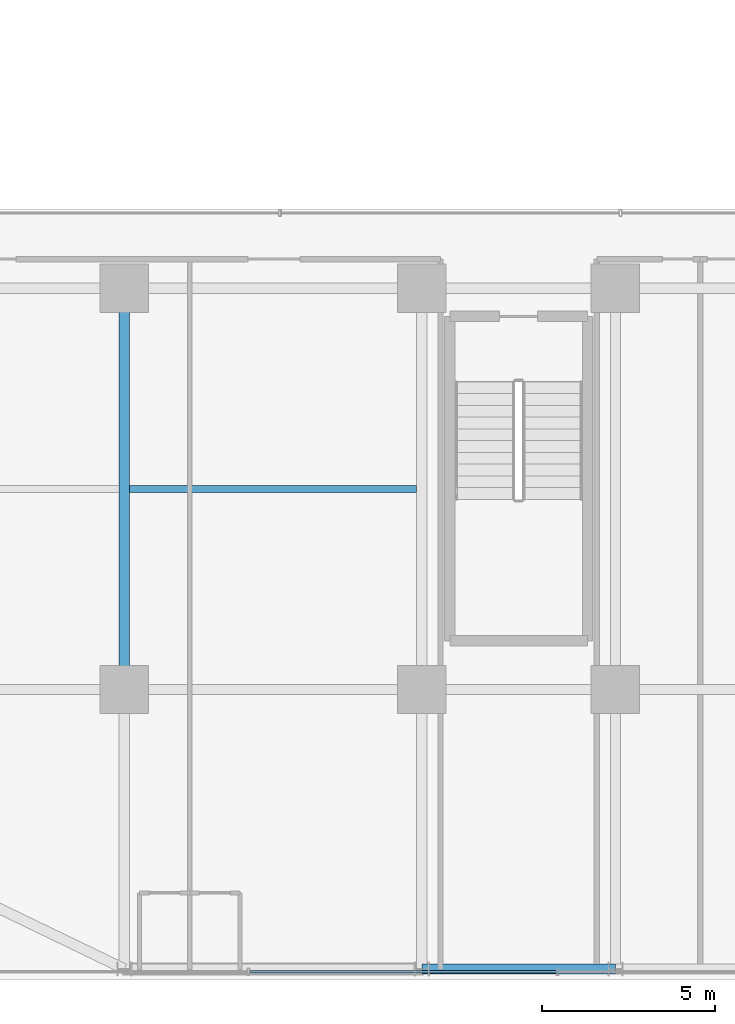
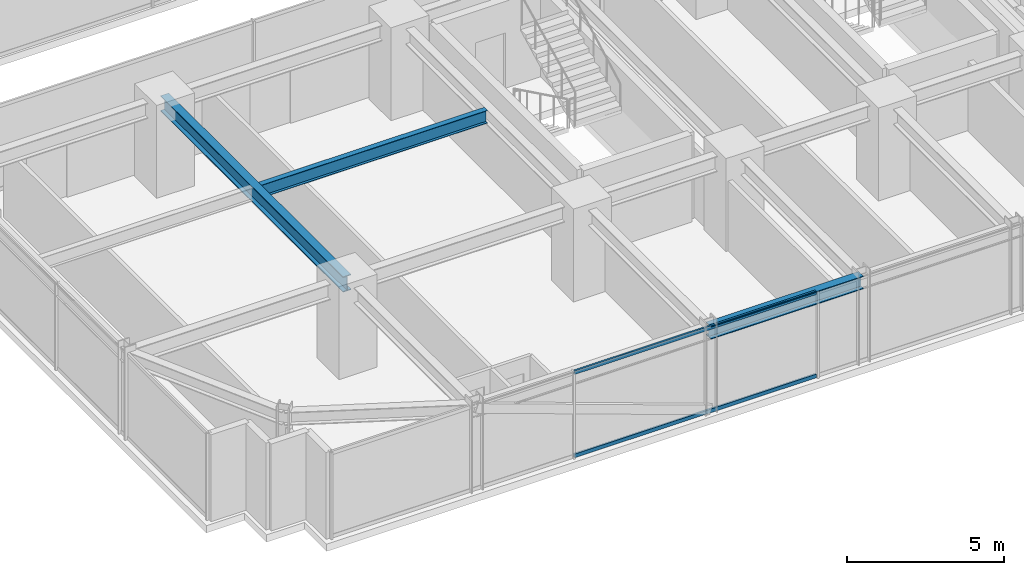
# One storey, part 6 of 41: 3 beams, 2 members, 1 element without a shape of its own.
"""IFC4 building model written with IfcOpenShell, lengths in metres."""

from ifc_helpers import new_model, si_unit, direction, frame, origin, origin_2d, place, context, subcontext, project, spatial, hollow_rectangle, i_section, extrude, source, transform, mapped, material, material_profile, profile_set, type_object, element, aggregate, save


model = new_model("IFC4")

# Units and contexts
model_context = context("Model", 3, precision=1e-05, world=origin(), true_north=direction((0.0, 1.0)))
body_context = subcontext(model_context, "Body", "Model", "MODEL_VIEW")
ifc_project = project(units=[si_unit("LENGTHUNIT", "METRE"), si_unit("AREAUNIT", "SQUARE_METRE"), si_unit("VOLUMEUNIT", "CUBIC_METRE"), si_unit("PLANEANGLEUNIT", "RADIAN"), si_unit("MASSUNIT", "GRAM", prefix="KILO")], contexts=[model_context])

# Site, building, storey
site_placement = place(None, origin())
site = spatial("IfcSite", under=ifc_project, at=site_placement, CompositionType="ELEMENT")
building_placement = place(site_placement, origin())
building = spatial("IfcBuilding", under=site, at=building_placement, Name="Nahalor Promenade Grand Hotel", CompositionType="ELEMENT")
storey_placement = place(building_placement, frame((0.0, 0.0, 54.300048828125)))
storey = spatial("IfcBuildingStorey", under=building, at=storey_placement, Name="L12", CompositionType="ELEMENT", Elevation=54.300048828125)

# Beams
ifc_material_1 = material(Name="Steel S355JR", Category="steel")
ifc_material_profile_1 = material_profile(ifc_material_1, i_section(OverallWidth=0.3, OverallDepth=0.6, WebThickness=0.0155, FlangeThickness=0.03, at=origin_2d()), Name="HEB 600")
ifc_profile_set_1 = profile_set([ifc_material_profile_1], Name="Steel S355JR")
beam_type_1 = type_object("IfcBeamType", Name="Beam-Girder-HEB600", PredefinedType="BEAM", material=ifc_profile_set_1)
shared_shape_1 = source(origin(), body_context, "Body", "SweptSolid", [
    extrude(i_section(OverallWidth=0.3, OverallDepth=0.6, WebThickness=0.0155, FlangeThickness=0.03, at=origin_2d()), origin(), (0.0, 0.0, 1.0), 11.60009765625),
])
beam_1_placement = place(storey_placement, frame((-17.0, -17.0, 3.070068359375), z_axis=(0.0, 1.0, 0.0), x_axis=(-1.0, 0.0, 0.0)))
element("IfcBeam", 1, at=beam_1_placement, inside=storey, type_object=beam_type_1, Name="BM-L12-GY-0-1", PredefinedType="BEAM", context=body_context, shape_type="MappedRepresentation", body=[
    mapped(shared_shape_1, transform((0.0, 0.0, 0.0), scale=1.0)),
])
ifc_material_profile_2 = material_profile(ifc_material_1, i_section(OverallWidth=0.3, OverallDepth=0.5, WebThickness=0.0145, FlangeThickness=0.028, at=origin_2d()), Name="HEB 500")
ifc_profile_set_2 = profile_set([ifc_material_profile_2], Name="Steel S355JR")
beam_type_2 = type_object("IfcBeamType", Name="Beam-Spandrel-HEB500", PredefinedType="SPANDREL", material=ifc_profile_set_2)
shared_shape_2 = source(origin(), body_context, "Body", "SweptSolid", [
    extrude(i_section(OverallWidth=0.3, OverallDepth=0.5, WebThickness=0.0145, FlangeThickness=0.028, at=origin_2d()), origin(), (0.0, 0.0, 1.0), 5.599853515625),
])
beam_2_placement = place(storey_placement, frame((-8.39990234375, -25.080078125, 3.119873046875), z_axis=(1.0, 0.0, 0.0), x_axis=(0.0, 1.0, 0.0)))
element("IfcBeam", 2, at=beam_2_placement, inside=storey, type_object=beam_type_2, Name="BM-L12-SP-S-1", PredefinedType="SPANDREL", context=body_context, shape_type="MappedRepresentation", body=[
    mapped(shared_shape_2, transform((0.0, 0.0, 0.0), scale=1.0)),
])
ifc_material_profile_3 = material_profile(ifc_material_1, i_section(OverallWidth=0.2, OverallDepth=0.5, WebThickness=0.0102, FlangeThickness=0.016, at=origin_2d()), Name="IPE 500")
ifc_profile_set_3 = profile_set([ifc_material_profile_3], Name="Steel S355JR")
beam_type_3 = type_object("IfcBeamType", Name="Beam-Joist-IPE500", PredefinedType="JOIST", material=ifc_profile_set_3)
shared_shape_3 = source(origin(), body_context, "Body", "SweptSolid", [
    extrude(i_section(OverallWidth=0.2, OverallDepth=0.5, WebThickness=0.0102, FlangeThickness=0.016, at=origin_2d()), origin(), (0.0, 0.0, 1.0), 8.300048828125),
])
beam_3_placement = place(storey_placement, frame((-16.85009765625, -11.199951171875, 3.119873046875), z_axis=(1.0, 0.0, 0.0), x_axis=(0.0, 1.0, 0.0)))
element("IfcBeam", 3, at=beam_3_placement, inside=storey, type_object=beam_type_3, Name="BM-L12-JSW-0-1", PredefinedType="JOIST", context=body_context, shape_type="MappedRepresentation", body=[
    mapped(shared_shape_3, transform((0.0, 0.0, 0.0), scale=1.0)),
])

# Curtain wall, members
ifc_material_2 = material(Name="Anodised Bronze Aluminium EN AW-6063 T6", Category="aluminium")
curtain_wall_type = type_object("IfcCurtainWallType", Name="CW3 Elliptical-Void Collar Unitised Curtain Wall", PredefinedType="USERDEFINED", material=ifc_material_2)
curtain_wall_placement = place(storey_placement, origin())
curtain_wall = element("IfcCurtainWall", 4, at=curtain_wall_placement, inside=storey, type_object=curtain_wall_type, Name="L12 Curtain Wall CW-L12-S-1", ObjectType="UNITISED_CURTAIN_WALL", PredefinedType="USERDEFINED")
ifc_material_profile_4 = material_profile(ifc_material_2, hollow_rectangle(XDim=0.07, YDim=0.14, WallThickness=0.004, at=origin_2d()), Name="CWT 70x140x4")
ifc_profile_set_4 = profile_set([ifc_material_profile_4], Name="Anodised Bronze Aluminium EN AW-6063 T6")
member_type = type_object("IfcMemberType", Name="CWT3 Void Collar Transom 70x140", PredefinedType="USERDEFINED", material=ifc_profile_set_4)
shared_shape_4 = source(origin(), body_context, "Body", "SweptSolid", [
    extrude(hollow_rectangle(XDim=0.07, YDim=0.14, WallThickness=0.004, at=origin_2d()), origin(), (0.0, 0.0, 1.0), 8.8740234375),
])
member_1_placement = place(storey_placement, frame((-13.381103515625, -25.159912109375, 0.070068359375), z_axis=(1.0, 0.0, 0.0), x_axis=(0.0, 1.0, 0.0)))
member_1 = element("IfcMember", 5, at=member_1_placement, type_object=member_type, Name="CW-L12-S-1 Transom 1-0", ObjectType="TRANSOM", PredefinedType="USERDEFINED", context=body_context, shape_type="MappedRepresentation", body=[
    mapped(shared_shape_4, transform((0.0, 0.0, 0.0), scale=1.0)),
])
member_2_placement = place(storey_placement, frame((-13.381103515625, -25.159912109375, 3.300048828125), z_axis=(1.0, 0.0, 0.0), x_axis=(0.0, 1.0, 0.0)))
member_2 = element("IfcMember", 6, at=member_2_placement, type_object=member_type, Name="CW-L12-S-1 Transom 1-1", ObjectType="TRANSOM", PredefinedType="USERDEFINED", context=body_context, shape_type="MappedRepresentation", body=[
    mapped(shared_shape_4, transform((0.0, 0.0, 0.0), scale=1.0)),
])
aggregate(curtain_wall, [member_1, member_2])

save(model, "model.ifc")
